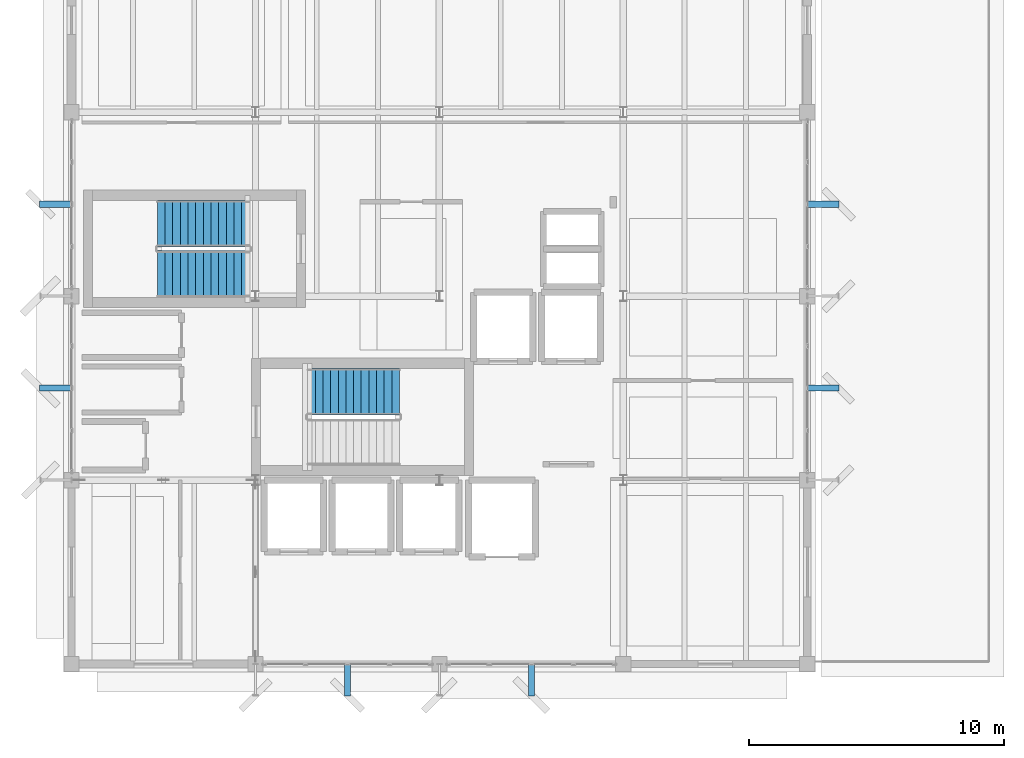
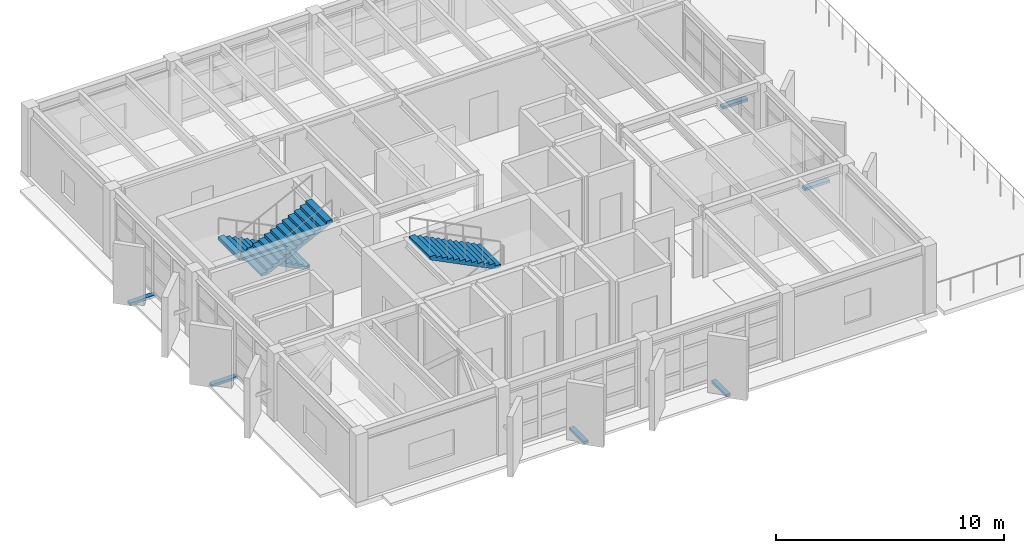
# One storey, part 15 of 19: 6 discrete accessories, 3 stair flights, 2 elements without a shape of their own.
"""IFC4 building model written with IfcOpenShell, lengths in metres."""

from ifc_helpers import new_model, si_unit, direction, frame, origin, origin_2d, place, context, subcontext, project, spatial, polyline, rectangle, outline, extrude, material, layer, layer_set, type_object, element, aggregate, save


model = new_model("IFC4")

# Units and contexts
model_context = context("Model", 3, precision=1e-05, world=origin(), true_north=direction((0.0, 1.0)))
body_context = subcontext(model_context, "Body", "Model", "MODEL_VIEW")
ifc_project = project(units=[si_unit("LENGTHUNIT", "METRE"), si_unit("AREAUNIT", "SQUARE_METRE"), si_unit("VOLUMEUNIT", "CUBIC_METRE"), si_unit("PLANEANGLEUNIT", "RADIAN"), si_unit("MASSUNIT", "GRAM", prefix="KILO")], contexts=[model_context])

# Site, building, storey
site_placement = place(None, origin())
site = spatial("IfcSite", under=ifc_project, at=site_placement, CompositionType="ELEMENT")
building_placement = place(site_placement, origin())
building = spatial("IfcBuilding", under=site, at=building_placement, Name="Kandorven Conservatory and Botanical Research Centre", CompositionType="ELEMENT")
storey_placement = place(building_placement, frame((0.0, 0.0, 28.800048828125)))
storey = spatial("IfcBuildingStorey", under=building, at=storey_placement, Name="L07", CompositionType="ELEMENT", Elevation=28.800048828125)

# Stair, stair flight
ifc_material_1 = material(Name="Concrete C32/40 (M40)", Category="concrete")
stair_type = type_object("IfcStairType", Name="Stair_1820", PredefinedType="HALF_TURN_STAIR", material=ifc_material_1)
stair_1_placement = place(storey_placement, origin())
stair_1 = element("IfcStair", 1, at=stair_1_placement, inside=storey, type_object=stair_type, Name="L07 Tower Fire Stair ST-T1", PredefinedType="HALF_TURN_STAIR")
ifc_material_2 = material(Name="Concrete C32/40 (M40)", Category="concrete")
ifc_layer = layer(ifc_material_2, 0.14990234375)
ifc_layer_set = layer_set([ifc_layer], Name="Concrete C32/40 (M40)")
stair_flight_type = type_object("IfcStairFlightType", Name="Flight_1820", PredefinedType="STRAIGHT", material=ifc_layer_set)
stair_flight_1_placement = place(storey_placement, frame((18.839599609375, 16.659912109375, 1.949951171875), z_axis=(0.0, 0.0, 1.0), x_axis=(-1.0, 0.0, 0.0)))
stair_flight_1 = element("IfcStairFlight", 2, at=stair_flight_1_placement, type_object=stair_flight_type, Name="ST-T1 flight 2", NumberOfRisers=13, NumberOfTreads=12, PredefinedType="STRAIGHT", RiserHeight=0.15, TreadLength=0.3, context=body_context, shape_type="SweptSolid", body=[
    extrude(outline(polyline([(0.0, 0.0), (0.0, 0.14990234375), (0.300048828125, 0.14990234375), (0.300048828125, 0.300048828125), (0.60009765625, 0.300048828125), (0.60009765625, 0.449951171875), (0.89990234375, 0.449951171875), (0.89990234375, 0.60009765625), (1.199951171875, 0.60009765625), (1.199951171875, 0.75), (1.5, 0.75), (1.5, 0.89990234375), (1.800048828125, 0.89990234375), (1.800048828125, 1.050048828125), (2.10009765625, 1.050048828125), (2.10009765625, 1.199951171875), (2.39990234375, 1.199951171875), (2.39990234375, 1.35009765625), (2.699951171875, 1.35009765625), (2.699951171875, 1.5), (3.0, 1.5), (3.0, 1.64990234375), (3.300048828125, 1.64990234375), (3.300048828125, 1.800048828125), (3.60009765625, 1.800048828125), (3.60009765625, 1.949951171875), (3.60009765625, 1.63232421875), (0.335205078125, 0.0), (0.0, 0.0)])), frame((0.0, 0.91015625, 0.0), z_axis=(0.0, -1.0, 0.0), x_axis=(1.0, 0.0, 0.0)), (0.0, 0.0, 1.0), 1.820068359375),
])
aggregate(stair_1, [stair_flight_1])

# Stair, stair flights
stair_2_placement = place(storey_placement, origin())
stair_2 = element("IfcStair", 3, at=stair_2_placement, inside=storey, type_object=stair_type, Name="L07 Tower Fire Stair ST-T2", PredefinedType="HALF_TURN_STAIR")
stair_flight_2_placement = place(storey_placement, frame((12.9599609375, 23.239990234375, 0.0), z_axis=(0.0, 0.0, 1.0), x_axis=(-1.0, 0.0, 0.0)))
stair_flight_2 = element("IfcStairFlight", 4, at=stair_flight_2_placement, type_object=stair_flight_type, Name="ST-T2 flight 1", NumberOfRisers=13, NumberOfTreads=12, PredefinedType="STRAIGHT", RiserHeight=0.15, TreadLength=0.3, context=body_context, shape_type="SweptSolid", body=[
    extrude(outline(polyline([(0.0, 0.0), (0.0, 0.14990234375), (0.300048828125, 0.14990234375), (0.300048828125, 0.300048828125), (0.60009765625, 0.300048828125), (0.60009765625, 0.449951171875), (0.89990234375, 0.449951171875), (0.89990234375, 0.60009765625), (1.199951171875, 0.60009765625), (1.199951171875, 0.75), (1.5, 0.75), (1.5, 0.89990234375), (1.800048828125, 0.89990234375), (1.800048828125, 1.050048828125), (2.10009765625, 1.050048828125), (2.10009765625, 1.199951171875), (2.39990234375, 1.199951171875), (2.39990234375, 1.35009765625), (2.699951171875, 1.35009765625), (2.699951171875, 1.5), (3.0, 1.5), (3.0, 1.64990234375), (3.300048828125, 1.64990234375), (3.300048828125, 1.800048828125), (3.60009765625, 1.800048828125), (3.60009765625, 1.949951171875), (3.60009765625, 1.63232421875), (0.335205078125, 0.0), (0.0, 0.0)])), frame((0.0, 0.91015625, 0.0), z_axis=(0.0, -1.0, 0.0), x_axis=(1.0, 0.0, 0.0)), (0.0, 0.0, 1.0), 1.820068359375),
])
stair_flight_3_placement = place(storey_placement, frame((9.360595703125, 21.27001953125, 1.949951171875), z_axis=(0.0, 0.0, 1.0), x_axis=(1.0, 0.0, 0.0)))
stair_flight_3 = element("IfcStairFlight", 5, at=stair_flight_3_placement, type_object=stair_flight_type, Name="ST-T2 flight 2", NumberOfRisers=13, NumberOfTreads=12, PredefinedType="STRAIGHT", RiserHeight=0.15, TreadLength=0.3, context=body_context, shape_type="SweptSolid", body=[
    extrude(outline(polyline([(0.0, 0.0), (0.0, 0.14990234375), (0.300048828125, 0.14990234375), (0.300048828125, 0.300048828125), (0.60009765625, 0.300048828125), (0.60009765625, 0.449951171875), (0.89990234375, 0.449951171875), (0.89990234375, 0.60009765625), (1.199951171875, 0.60009765625), (1.199951171875, 0.75), (1.5, 0.75), (1.5, 0.89990234375), (1.800048828125, 0.89990234375), (1.800048828125, 1.050048828125), (2.10009765625, 1.050048828125), (2.10009765625, 1.199951171875), (2.39990234375, 1.199951171875), (2.39990234375, 1.35009765625), (2.699951171875, 1.35009765625), (2.699951171875, 1.5), (3.0, 1.5), (3.0, 1.64990234375), (3.300048828125, 1.64990234375), (3.300048828125, 1.800048828125), (3.60009765625, 1.800048828125), (3.60009765625, 1.949951171875), (3.60009765625, 1.63232421875), (0.335205078125, 0.0), (0.0, 0.0)])), frame((0.0, 0.91015625, 0.0), z_axis=(0.0, -1.0, 0.0), x_axis=(1.0, 0.0, 0.0)), (0.0, 0.0, 1.0), 1.820068359375),
])
aggregate(stair_2, [stair_flight_2, stair_flight_3])

# Discrete accessories
ifc_material_3 = material(Name="Steel S355 (IS 2062 E350)", Category="steel")
discrete_accessory_type = type_object("IfcDiscreteAccessoryType", Name="JaliBracket", PredefinedType="BRACKET", material=ifc_material_3)
for number, where, z_axis, x_axis, name in (
    (6, (16.800048828125, 5.389892578125, -0.1298828125), (0.0, 0.0, 1.0), (1.0, 0.0, 0.0), "Stainless steel fin support bracket BRK-01 #74"),
    (7, (24.0, 5.389892578125, -0.1298828125), (0.0, 0.0, 1.0), (1.0, 0.0, 0.0), "Stainless steel fin support bracket BRK-01 #76"),
):
    element("IfcDiscreteAccessory", number, at=place(storey_placement, frame(where, z_axis=z_axis, x_axis=x_axis)), inside=storey, type_object=discrete_accessory_type, Name=name, PredefinedType="BRACKET", context=body_context, shape_type="SweptSolid", body=[
        extrude(rectangle(XDim=0.239990234375, YDim=1.280029296875, at=origin_2d()), origin(), (0.0, 0.0, 1.0), 0.139892578125),
    ])
for number, where, z_axis, x_axis, name in (
    (8, (5.389892578125, 16.800048828125, -0.1298828125), (0.0, 0.0, 1.0), (1.0, 0.0, 0.0), "Stainless steel fin support bracket BRK-01 #78"),
    (9, (5.389892578125, 24.0, -0.1298828125), (0.0, 0.0, 1.0), (1.0, 0.0, 0.0), "Stainless steel fin support bracket BRK-01 #80"),
    (10, (35.409912109375, 16.800048828125, -0.1298828125), (0.0, 0.0, 1.0), (1.0, 0.0, 0.0), "Stainless steel fin support bracket BRK-01 #82"),
    (11, (35.409912109375, 24.0, -0.1298828125), (0.0, 0.0, 1.0), (1.0, 0.0, 0.0), "Stainless steel fin support bracket BRK-01 #84"),
):
    element("IfcDiscreteAccessory", number, at=place(storey_placement, frame(where, z_axis=z_axis, x_axis=x_axis)), inside=storey, type_object=discrete_accessory_type, Name=name, PredefinedType="BRACKET", context=body_context, shape_type="SweptSolid", body=[
        extrude(rectangle(XDim=1.280029296875, YDim=0.239990234375, at=origin_2d()), origin(), (0.0, 0.0, 1.0), 0.139892578125),
    ])

save(model, "model.ifc")
